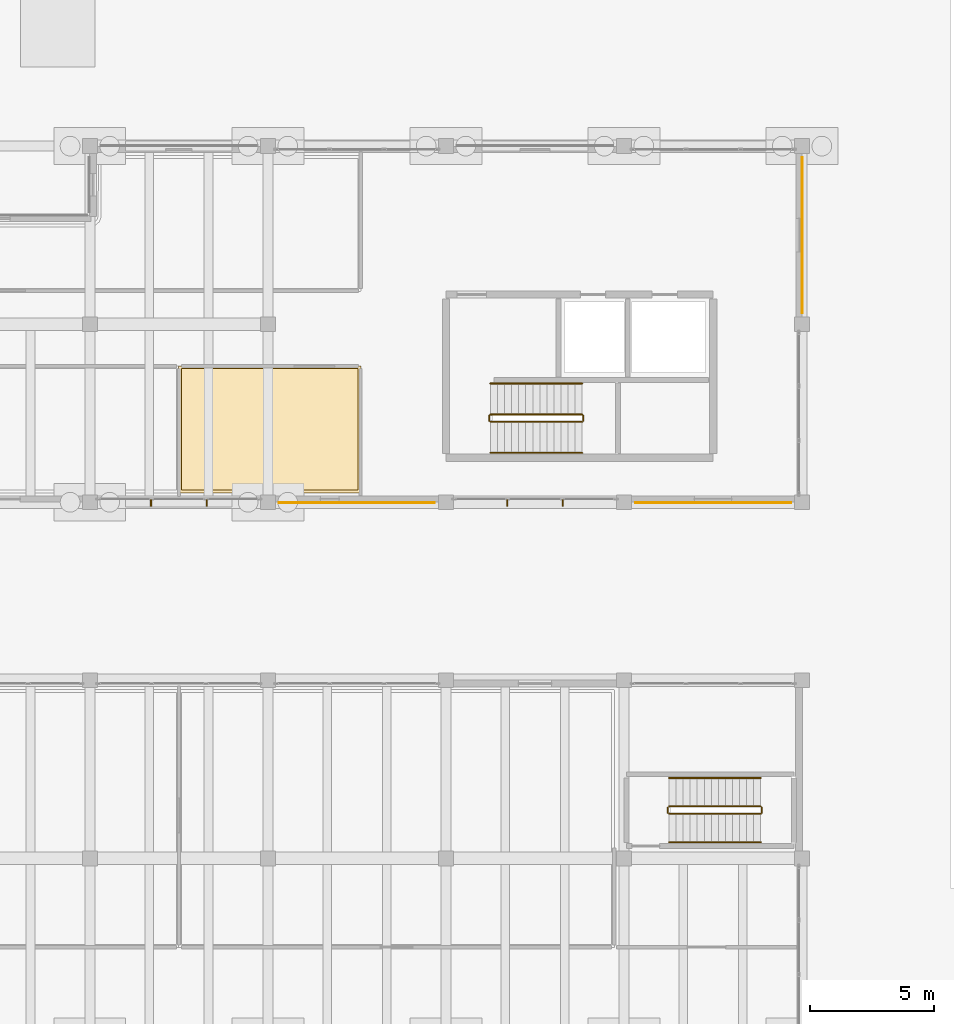
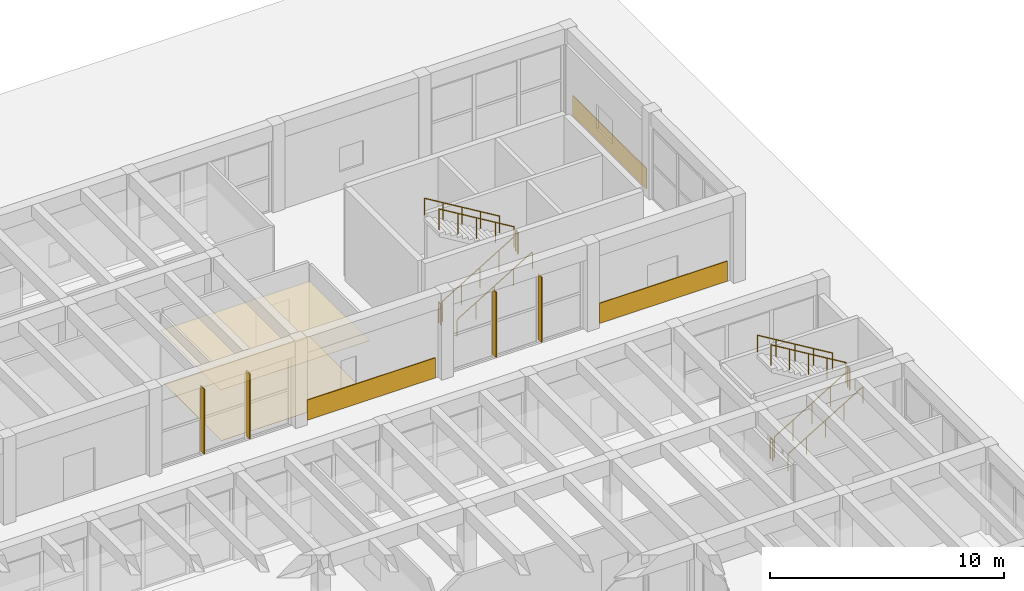
# One storey, part 152 of 155: 12 railings, 5 coverings, 4 shading devices.
"""IFC4 building model written with IfcOpenShell, lengths in metres."""

from ifc_helpers import new_model, si_unit, direction, frame, origin, origin_2d, place, context, subcontext, project, spatial, polyline, rectangle, circle, outline, extrude, material, layer, layer_set, type_object, element, save


model = new_model("IFC4")

# Units and contexts
model_context = context("Model", 3, precision=1e-05, world=origin(), true_north=direction((0.0, 1.0)))
body_context = subcontext(model_context, "Body", "Model", "MODEL_VIEW")
ifc_project = project(units=[si_unit("LENGTHUNIT", "METRE"), si_unit("AREAUNIT", "SQUARE_METRE"), si_unit("VOLUMEUNIT", "CUBIC_METRE"), si_unit("PLANEANGLEUNIT", "RADIAN"), si_unit("MASSUNIT", "GRAM", prefix="KILO")], contexts=[model_context])

# Site, building, storey
site_placement = place(None, origin())
site = spatial("IfcSite", under=ifc_project, at=site_placement, CompositionType="ELEMENT")
building_placement = place(site_placement, origin())
building = spatial("IfcBuilding", under=site, at=building_placement, Name="Bramvelor Terrace Health Centre", CompositionType="ELEMENT")
storey_placement = place(building_placement, origin())
storey = spatial("IfcBuildingStorey", under=building, at=storey_placement, Name="L01", CompositionType="ELEMENT", Elevation=0.0)

# Coverings
ifc_material_1 = material(Name="Honed volcanic tuff rainscreen stone", Category="masonry")
ifc_layer_1 = layer(ifc_material_1, 0.0400390625)
ifc_layer_set_1 = layer_set([ifc_layer_1], Name="Honed volcanic tuff rainscreen stone")
covering_type_1 = type_object("IfcCoveringType", Name="COV-CLAD-TUF", PredefinedType="CLADDING", material=ifc_layer_set_1)
covering_1_placement = place(storey_placement, frame((93.614990234375, 97.199951171875, 0.02490234375), z_axis=(0.0, 0.0, 1.0), x_axis=(1.0, 0.0, 0.0)))
element("IfcCovering", 1, at=covering_1_placement, inside=storey, type_object=covering_type_1, Name="L01 Volcanic Tuff Rainscreen Spandrel 34", PredefinedType="CLADDING", context=body_context, shape_type="SweptSolid", body=[
    extrude(rectangle(XDim=0.0400390625, YDim=6.31005859375, at=origin_2d()), origin(), (0.0, 0.0, 1.0), 1.050048828125),
])
for number, where, z_axis, x_axis, name in (
    (2, (90.0, 86.385009765625, 0.02490234375), (0.0, 0.0, 1.0), (1.0, 0.0, 0.0), "L01 Volcanic Tuff Rainscreen Spandrel 35"),
    (3, (75.60009765625, 86.385009765625, 0.02490234375), (0.0, 0.0, 1.0), (1.0, 0.0, 0.0), "L01 Volcanic Tuff Rainscreen Spandrel 36"),
):
    element("IfcCovering", number, at=place(storey_placement, frame(where, z_axis=z_axis, x_axis=x_axis)), inside=storey, type_object=covering_type_1, Name=name, PredefinedType="CLADDING", context=body_context, shape_type="SweptSolid", body=[
        extrude(rectangle(XDim=6.31005859375, YDim=0.0400390625, at=origin_2d()), origin(), (0.0, 0.0, 1.0), 1.050048828125),
    ])
ifc_material_2 = material(Name="Hygienic mineral-fibre acoustic ceiling", Category="gypsum")
ifc_layer_2 = layer(ifc_material_2, 0.02001953125)
ifc_layer_set_2 = layer_set([ifc_layer_2], Name="Hygienic mineral-fibre acoustic ceiling")
covering_type_2 = type_object("IfcCoveringType", Name="COV-CLG-ACT", PredefinedType="CEILING", material=ifc_layer_set_2)
covering_2_placement = place(storey_placement, frame((0.0, 0.0, 2.75)))
element("IfcCovering", 4, at=covering_2_placement, inside=storey, type_object=covering_type_2, Name="L01 Diagnostic Ultrasound Clinic 1 Acoustic Ceiling", PredefinedType="CEILING", context=body_context, shape_type="SweptSolid", body=[
    extrude(outline(polyline([(68.389892578125, 91.89794921875), (68.39013671875, 91.89990234375), (68.390380859375, 91.90185546875), (68.390869140625, 91.90380859375), (68.3916015625, 91.90576171875), (68.392333984375, 91.907470703125), (68.393310546875, 91.9091796875), (68.39453125, 91.91064453125), (68.39599609375, 91.912109375), (68.397216796875, 91.91357421875), (68.39892578125, 91.91455078125), (68.400634765625, 91.91552734375), (68.40234375, 91.91650390625), (68.404296875, 91.9169921875), (68.406005859375, 91.91748046875), (68.407958984375, 91.91796875), (68.409912109375, 91.91796875), (75.75, 91.91796875), (75.751953125, 91.91796875), (75.75390625, 91.91748046875), (75.755859375, 91.9169921875), (75.7578125, 91.91650390625), (75.759521484375, 91.91552734375), (75.760986328125, 91.91455078125), (75.7626953125, 91.91357421875), (75.76416015625, 91.912109375), (75.765380859375, 91.91064453125), (75.7666015625, 91.9091796875), (75.767578125, 91.907470703125), (75.7685546875, 91.90576171875), (75.76904296875, 91.90380859375), (75.76953125, 91.90185546875), (75.77001953125, 91.89990234375), (75.77001953125, 91.89794921875), (75.77001953125, 86.800048828125), (75.77001953125, 86.798095703125), (75.76953125, 86.796142578125), (75.76904296875, 86.794189453125), (75.7685546875, 86.792236328125), (75.767578125, 86.79052734375), (75.7666015625, 86.788818359375), (75.765380859375, 86.787353515625), (75.76416015625, 86.785888671875), (75.7626953125, 86.784423828125), (75.760986328125, 86.783447265625), (75.759521484375, 86.782470703125), (75.7578125, 86.781494140625), (75.755859375, 86.781005859375), (75.75390625, 86.780517578125), (75.751953125, 86.780029296875), (75.75, 86.780029296875), (68.409912109375, 86.780029296875), (68.407958984375, 86.780029296875), (68.406005859375, 86.780517578125), (68.404296875, 86.781005859375), (68.40234375, 86.781494140625), (68.400634765625, 86.782470703125), (68.39892578125, 86.783447265625), (68.397216796875, 86.784423828125), (68.39599609375, 86.785888671875), (68.39453125, 86.787353515625), (68.393310546875, 86.788818359375), (68.392333984375, 86.79052734375), (68.3916015625, 86.792236328125), (68.390869140625, 86.794189453125), (68.390380859375, 86.796142578125), (68.39013671875, 86.798095703125), (68.389892578125, 86.800048828125), (68.389892578125, 91.89794921875)])), origin(), (0.0, 0.0, 1.0), 0.02001953125),
])
ifc_material_3 = material(Name="Seamless antimicrobial clinical vinyl", Category="polymer")
ifc_layer_3 = layer(ifc_material_3, 0.008056640625)
ifc_layer_set_3 = layer_set([ifc_layer_3], Name="Seamless antimicrobial clinical vinyl")
covering_type_3 = type_object("IfcCoveringType", Name="COV-FLR-VNL", PredefinedType="FLOORING", material=ifc_layer_set_3)
covering_3_placement = place(storey_placement, origin())
element("IfcCovering", 5, at=covering_3_placement, inside=storey, type_object=covering_type_3, Name="L01 Diagnostic Ultrasound Clinic 1 Clinical Vinyl Flooring", PredefinedType="FLOORING", context=body_context, shape_type="SweptSolid", body=[
    extrude(outline(polyline([(68.510009765625, 91.798095703125), (75.64990234375, 91.798095703125), (75.64990234375, 86.89990234375), (68.510009765625, 86.89990234375), (68.510009765625, 91.798095703125)])), origin(), (0.0, 0.0, 1.0), 0.008056640625),
])

# Railings
ifc_material_4 = material(Name="Painted galvanized steel", Category="steel")
railing_type_1 = type_object("IfcRailingType", Name="RLG-GD-1100", PredefinedType="GUARDRAIL", material=ifc_material_4)
railing_1_placement = place(storey_placement, frame((81.0, 89.64990234375, 0.17138671875)))
element("IfcRailing", 6, at=railing_1_placement, inside=storey, type_object=railing_type_1, Name="L01 ST-4 stair guard 1", PredefinedType="GUARDRAIL", context=body_context, shape_type="SweptSolid", body=[
    extrude(circle(Radius=0.02392578125, at=origin_2d()), frame((0.0, 0.0, 1.076171875), z_axis=(0.856934400257, 0.0, 0.515425487977), x_axis=(0.0, 1.0, 0.0)), (0.0, 0.0, 1.0), 4.32373046875),
    extrude(circle(Radius=0.02099609375, at=origin_2d()), origin(), (0.0, 0.0, 1.0), 1.052001953125),
    extrude(circle(Radius=0.02099609375, at=origin_2d()), frame((0.92626953125, 0.0, 0.55712890625)), (0.0, 0.0, 1.0), 1.052001953125),
    extrude(circle(Radius=0.02099609375, at=origin_2d()), frame((1.8525390625, 0.0, 1.1142578125)), (0.0, 0.0, 1.0), 1.052001953125),
    extrude(circle(Radius=0.02099609375, at=origin_2d()), frame((2.77880859375, 0.0, 1.67138671875)), (0.0, 0.0, 1.0), 1.052001953125),
    extrude(circle(Radius=0.02099609375, at=origin_2d()), frame((3.705078125, 0.0, 2.228515625)), (0.0, 0.0, 1.0), 1.052001953125),
])
railing_2_placement = place(storey_placement, frame((84.7548828125, 89.699951171875, 2.39990234375)))
element("IfcRailing", 7, at=railing_2_placement, inside=storey, type_object=railing_type_1, Name="L01 ST-4 stair guard 2", PredefinedType="GUARDRAIL", context=body_context, shape_type="SweptSolid", body=[
    extrude(circle(Radius=0.02392578125, at=origin_2d()), frame((0.0, 0.0, 1.076171875), z_axis=(0.0, 1.0, 0.0), x_axis=(-1.0, 0.0, 0.0)), (0.0, 0.0, 1.0), 0.199951171875),
    extrude(circle(Radius=0.02099609375, at=origin_2d()), origin(), (0.0, 0.0, 1.0), 1.052001953125),
    extrude(circle(Radius=0.02099609375, at=origin_2d()), frame((0.0, 0.199951171875, 0.0)), (0.0, 0.0, 1.0), 1.052001953125),
])
railing_3_placement = place(storey_placement, frame((84.705078125, 89.949951171875, 2.571533203125)))
element("IfcRailing", 8, at=railing_3_placement, inside=storey, type_object=railing_type_1, Name="L01 ST-4 stair guard 3", PredefinedType="GUARDRAIL", context=body_context, shape_type="SweptSolid", body=[
    extrude(circle(Radius=0.02392578125, at=origin_2d()), frame((0.0, 0.0, 1.076171875), z_axis=(-0.856934400257, 0.0, 0.515425487977), x_axis=(0.0, -1.0, 0.0)), (0.0, 0.0, 1.0), 4.32373046875),
    extrude(circle(Radius=0.02099609375, at=origin_2d()), origin(), (0.0, 0.0, 1.0), 1.052001953125),
    extrude(circle(Radius=0.02099609375, at=origin_2d()), frame((-0.92626953125, 0.0, 0.55712890625)), (0.0, 0.0, 1.0), 1.052001953125),
    extrude(circle(Radius=0.02099609375, at=origin_2d()), frame((-1.8525390625, 0.0, 1.1142578125)), (0.0, 0.0, 1.0), 1.052001953125),
    extrude(circle(Radius=0.02099609375, at=origin_2d()), frame((-2.77880859375, 0.0, 1.67138671875)), (0.0, 0.0, 1.0), 1.052001953125),
    extrude(circle(Radius=0.02099609375, at=origin_2d()), frame((-3.705078125, 0.0, 2.228515625)), (0.0, 0.0, 1.0), 1.052001953125),
])
railing_4_placement = place(storey_placement, frame((80.949951171875, 89.699951171875, 0.0)))
element("IfcRailing", 9, at=railing_4_placement, inside=storey, type_object=railing_type_1, Name="L01 ST-4 stair guard 4", PredefinedType="GUARDRAIL", context=body_context, shape_type="SweptSolid", body=[
    extrude(circle(Radius=0.02392578125, at=origin_2d()), frame((0.0, 0.0, 1.076171875), z_axis=(0.0, 1.0, 0.0), x_axis=(-1.0, 0.0, 0.0)), (0.0, 0.0, 1.0), 0.199951171875),
    extrude(circle(Radius=0.02099609375, at=origin_2d()), origin(), (0.0, 0.0, 1.0), 1.052001953125),
    extrude(circle(Radius=0.02099609375, at=origin_2d()), frame((0.0, 0.199951171875, 0.0)), (0.0, 0.0, 1.0), 1.052001953125),
])
railing_5_placement = place(storey_placement, frame((88.219970703125, 73.800048828125, 0.17138671875)))
element("IfcRailing", 10, at=railing_5_placement, inside=storey, type_object=railing_type_1, Name="L01 ST-8 stair guard 1", PredefinedType="GUARDRAIL", context=body_context, shape_type="SweptSolid", body=[
    extrude(circle(Radius=0.02392578125, at=origin_2d()), frame((0.0, 0.0, 1.076171875), z_axis=(0.856934400257, 0.0, 0.515425487977), x_axis=(0.0, 1.0, 0.0)), (0.0, 0.0, 1.0), 4.32373046875),
    extrude(circle(Radius=0.02099609375, at=origin_2d()), origin(), (0.0, 0.0, 1.0), 1.052001953125),
    extrude(circle(Radius=0.02099609375, at=origin_2d()), frame((0.92626953125, 0.0, 0.55712890625)), (0.0, 0.0, 1.0), 1.052001953125),
    extrude(circle(Radius=0.02099609375, at=origin_2d()), frame((1.8525390625, 0.0, 1.1142578125)), (0.0, 0.0, 1.0), 1.052001953125),
    extrude(circle(Radius=0.02099609375, at=origin_2d()), frame((2.77880859375, 0.0, 1.67138671875)), (0.0, 0.0, 1.0), 1.052001953125),
    extrude(circle(Radius=0.02099609375, at=origin_2d()), frame((3.705078125, 0.0, 2.228515625)), (0.0, 0.0, 1.0), 1.052001953125),
])
railing_6_placement = place(storey_placement, frame((91.97509765625, 73.85009765625, 2.39990234375)))
element("IfcRailing", 11, at=railing_6_placement, inside=storey, type_object=railing_type_1, Name="L01 ST-8 stair guard 2", PredefinedType="GUARDRAIL", context=body_context, shape_type="SweptSolid", body=[
    extrude(circle(Radius=0.02392578125, at=origin_2d()), frame((0.0, 0.0, 1.076171875), z_axis=(0.0, 1.0, 0.0), x_axis=(-1.0, 0.0, 0.0)), (0.0, 0.0, 1.0), 0.199951171875),
    extrude(circle(Radius=0.02099609375, at=origin_2d()), origin(), (0.0, 0.0, 1.0), 1.052001953125),
    extrude(circle(Radius=0.02099609375, at=origin_2d()), frame((0.0, 0.199951171875, 0.0)), (0.0, 0.0, 1.0), 1.052001953125),
])
railing_7_placement = place(storey_placement, frame((91.925048828125, 74.10009765625, 2.571533203125)))
element("IfcRailing", 12, at=railing_7_placement, inside=storey, type_object=railing_type_1, Name="L01 ST-8 stair guard 3", PredefinedType="GUARDRAIL", context=body_context, shape_type="SweptSolid", body=[
    extrude(circle(Radius=0.02392578125, at=origin_2d()), frame((0.0, 0.0, 1.076171875), z_axis=(-0.856934400257, 0.0, 0.515425487977), x_axis=(0.0, -1.0, 0.0)), (0.0, 0.0, 1.0), 4.32373046875),
    extrude(circle(Radius=0.02099609375, at=origin_2d()), origin(), (0.0, 0.0, 1.0), 1.052001953125),
    extrude(circle(Radius=0.02099609375, at=origin_2d()), frame((-0.92626953125, 0.0, 0.55712890625)), (0.0, 0.0, 1.0), 1.052001953125),
    extrude(circle(Radius=0.02099609375, at=origin_2d()), frame((-1.8525390625, 0.0, 1.1142578125)), (0.0, 0.0, 1.0), 1.052001953125),
    extrude(circle(Radius=0.02099609375, at=origin_2d()), frame((-2.77880859375, 0.0, 1.67138671875)), (0.0, 0.0, 1.0), 1.052001953125),
    extrude(circle(Radius=0.02099609375, at=origin_2d()), frame((-3.705078125, 0.0, 2.228515625)), (0.0, 0.0, 1.0), 1.052001953125),
])
railing_8_placement = place(storey_placement, frame((88.169921875, 73.85009765625, 0.0)))
element("IfcRailing", 13, at=railing_8_placement, inside=storey, type_object=railing_type_1, Name="L01 ST-8 stair guard 4", PredefinedType="GUARDRAIL", context=body_context, shape_type="SweptSolid", body=[
    extrude(circle(Radius=0.02392578125, at=origin_2d()), frame((0.0, 0.0, 1.076171875), z_axis=(0.0, 1.0, 0.0), x_axis=(-1.0, 0.0, 0.0)), (0.0, 0.0, 1.0), 0.199951171875),
    extrude(circle(Radius=0.02099609375, at=origin_2d()), origin(), (0.0, 0.0, 1.0), 1.052001953125),
    extrude(circle(Radius=0.02099609375, at=origin_2d()), frame((0.0, 0.199951171875, 0.0)), (0.0, 0.0, 1.0), 1.052001953125),
])
ifc_material_5 = material(Name="Brushed stainless steel 316", Category="steel")
railing_type_2 = type_object("IfcRailingType", Name="RLG-HR-900", PredefinedType="HANDRAIL", material=ifc_material_5)
railing_9_placement = place(storey_placement, frame((81.0, 88.39990234375, 0.17138671875)))
element("IfcRailing", 14, at=railing_9_placement, inside=storey, type_object=railing_type_2, Name="L01 ST-4 stair handrail 1", PredefinedType="HANDRAIL", context=body_context, shape_type="SweptSolid", body=[
    extrude(circle(Radius=0.02392578125, at=origin_2d()), frame((0.0, 0.0, 0.8759765625), z_axis=(0.856934400257, 0.0, 0.515425487977), x_axis=(0.0, 1.0, 0.0)), (0.0, 0.0, 1.0), 4.32373046875),
    extrude(circle(Radius=0.02099609375, at=origin_2d()), origin(), (0.0, 0.0, 1.0), 0.851806640625),
    extrude(circle(Radius=0.02099609375, at=origin_2d()), frame((0.92626953125, 0.0, 0.55712890625)), (0.0, 0.0, 1.0), 0.851806640625),
    extrude(circle(Radius=0.02099609375, at=origin_2d()), frame((1.8525390625, 0.0, 1.1142578125)), (0.0, 0.0, 1.0), 0.851806640625),
    extrude(circle(Radius=0.02099609375, at=origin_2d()), frame((2.77880859375, 0.0, 1.67138671875)), (0.0, 0.0, 1.0), 0.851806640625),
    extrude(circle(Radius=0.02099609375, at=origin_2d()), frame((3.705078125, 0.0, 2.228515625)), (0.0, 0.0, 1.0), 0.851806640625),
])
railing_10_placement = place(storey_placement, frame((84.705078125, 91.199951171875, 2.571533203125)))
element("IfcRailing", 15, at=railing_10_placement, inside=storey, type_object=railing_type_2, Name="L01 ST-4 stair handrail 2", PredefinedType="HANDRAIL", context=body_context, shape_type="SweptSolid", body=[
    extrude(circle(Radius=0.02392578125, at=origin_2d()), frame((0.0, 0.0, 0.8759765625), z_axis=(-0.856934400257, 0.0, 0.515425487977), x_axis=(0.0, -1.0, 0.0)), (0.0, 0.0, 1.0), 4.32373046875),
    extrude(circle(Radius=0.02099609375, at=origin_2d()), origin(), (0.0, 0.0, 1.0), 0.851806640625),
    extrude(circle(Radius=0.02099609375, at=origin_2d()), frame((-0.92626953125, 0.0, 0.55712890625)), (0.0, 0.0, 1.0), 0.851806640625),
    extrude(circle(Radius=0.02099609375, at=origin_2d()), frame((-1.8525390625, 0.0, 1.1142578125)), (0.0, 0.0, 1.0), 0.851806640625),
    extrude(circle(Radius=0.02099609375, at=origin_2d()), frame((-2.77880859375, 0.0, 1.67138671875)), (0.0, 0.0, 1.0), 0.851806640625),
    extrude(circle(Radius=0.02099609375, at=origin_2d()), frame((-3.705078125, 0.0, 2.228515625)), (0.0, 0.0, 1.0), 0.851806640625),
])
railing_11_placement = place(storey_placement, frame((88.219970703125, 72.64990234375, 0.17138671875)))
element("IfcRailing", 16, at=railing_11_placement, inside=storey, type_object=railing_type_2, Name="L01 ST-8 stair handrail 1", PredefinedType="HANDRAIL", context=body_context, shape_type="SweptSolid", body=[
    extrude(circle(Radius=0.02392578125, at=origin_2d()), frame((0.0, 0.0, 0.8759765625), z_axis=(0.856934400257, 0.0, 0.515425487977), x_axis=(0.0, 1.0, 0.0)), (0.0, 0.0, 1.0), 4.32373046875),
    extrude(circle(Radius=0.02099609375, at=origin_2d()), origin(), (0.0, 0.0, 1.0), 0.851806640625),
    extrude(circle(Radius=0.02099609375, at=origin_2d()), frame((0.92626953125, 0.0, 0.55712890625)), (0.0, 0.0, 1.0), 0.851806640625),
    extrude(circle(Radius=0.02099609375, at=origin_2d()), frame((1.8525390625, 0.0, 1.1142578125)), (0.0, 0.0, 1.0), 0.851806640625),
    extrude(circle(Radius=0.02099609375, at=origin_2d()), frame((2.77880859375, 0.0, 1.67138671875)), (0.0, 0.0, 1.0), 0.851806640625),
    extrude(circle(Radius=0.02099609375, at=origin_2d()), frame((3.705078125, 0.0, 2.228515625)), (0.0, 0.0, 1.0), 0.851806640625),
])
railing_12_placement = place(storey_placement, frame((91.925048828125, 75.25, 2.571533203125)))
element("IfcRailing", 17, at=railing_12_placement, inside=storey, type_object=railing_type_2, Name="L01 ST-8 stair handrail 2", PredefinedType="HANDRAIL", context=body_context, shape_type="SweptSolid", body=[
    extrude(circle(Radius=0.02392578125, at=origin_2d()), frame((0.0, 0.0, 0.8759765625), z_axis=(-0.856934400257, 0.0, 0.515425487977), x_axis=(0.0, -1.0, 0.0)), (0.0, 0.0, 1.0), 4.32373046875),
    extrude(circle(Radius=0.02099609375, at=origin_2d()), origin(), (0.0, 0.0, 1.0), 0.851806640625),
    extrude(circle(Radius=0.02099609375, at=origin_2d()), frame((-0.92626953125, 0.0, 0.55712890625)), (0.0, 0.0, 1.0), 0.851806640625),
    extrude(circle(Radius=0.02099609375, at=origin_2d()), frame((-1.8525390625, 0.0, 1.1142578125)), (0.0, 0.0, 1.0), 0.851806640625),
    extrude(circle(Radius=0.02099609375, at=origin_2d()), frame((-2.77880859375, 0.0, 1.67138671875)), (0.0, 0.0, 1.0), 0.851806640625),
    extrude(circle(Radius=0.02099609375, at=origin_2d()), frame((-3.705078125, 0.0, 2.228515625)), (0.0, 0.0, 1.0), 0.851806640625),
])

# Shading devices
ifc_material_6 = material(Name="Anodized aluminium 6063-T6", Category="aluminium")
ifc_layer_4 = layer(ifc_material_6, 0.050048828125)
ifc_layer_set_4 = layer_set([ifc_layer_4], Name="Anodized aluminium 6063-T6")
shading_device_type = type_object("IfcShadingDeviceType", Name="SHD-FIN-300", PredefinedType="JALOUSIE", material=ifc_layer_set_4)
for number, where, z_axis, x_axis, name in (
    (18, (83.923583984375, 86.3798828125, 0.14990234375), (0.0, 0.0, 1.0), (1.0, 0.0, 0.0), "L01 Solar Shading Louvre Fin 21"),
    (19, (81.67626953125, 86.3798828125, 0.14990234375), (0.0, 0.0, 1.0), (1.0, 0.0, 0.0), "L01 Solar Shading Louvre Fin 22"),
    (20, (69.523681640625, 86.3798828125, 0.14990234375), (0.0, 0.0, 1.0), (1.0, 0.0, 0.0), "L01 Solar Shading Louvre Fin 23"),
    (21, (67.2763671875, 86.3798828125, 0.14990234375), (0.0, 0.0, 1.0), (1.0, 0.0, 0.0), "L01 Solar Shading Louvre Fin 24"),
):
    element("IfcShadingDevice", number, at=place(storey_placement, frame(where, z_axis=z_axis, x_axis=x_axis)), inside=storey, type_object=shading_device_type, Name=name, PredefinedType="JALOUSIE", context=body_context, shape_type="SweptSolid", body=[
        extrude(rectangle(XDim=0.050048828125, YDim=0.300048828125, at=origin_2d()), origin(), (0.0, 0.0, 1.0), 3.389892578125),
    ])

save(model, "model.ifc")
